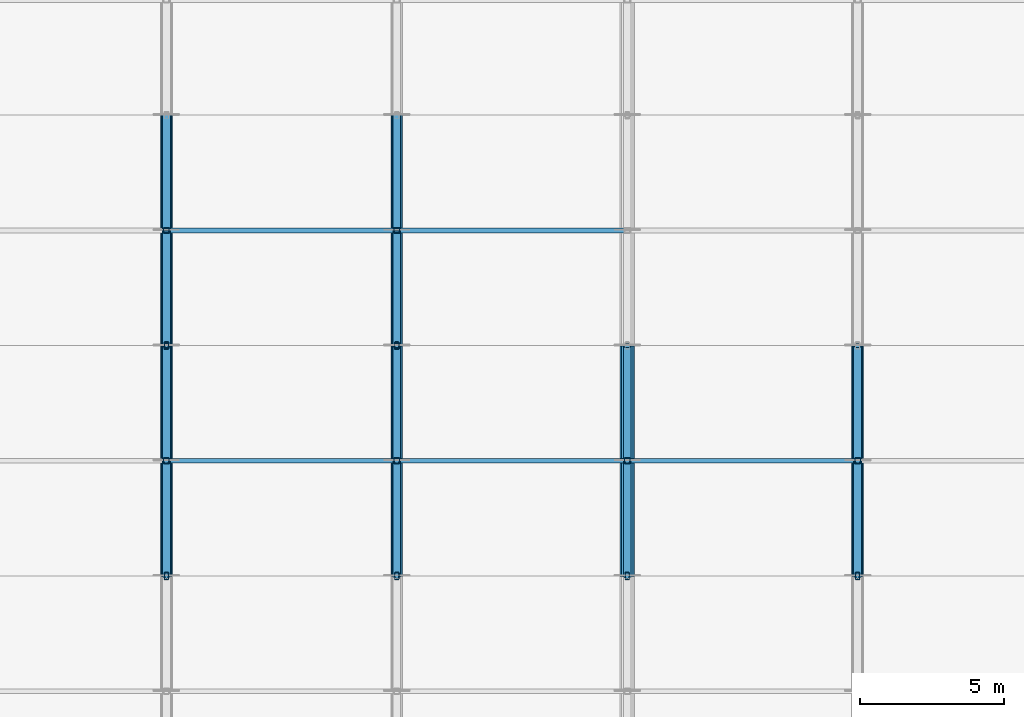
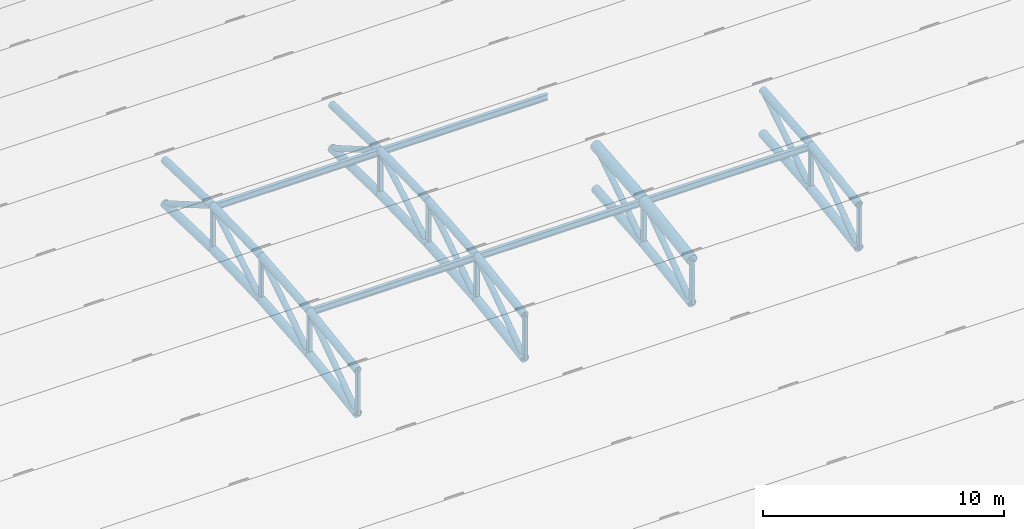
# One storey, part 48 of 98: 53 members.
"""IFC4 building model written with IfcOpenShell, lengths in metres."""

from ifc_helpers import new_model, si_unit, direction, frame, origin, origin_2d, place, context, subcontext, project, spatial, hollow_rectangle, hollow_circle, i_section, extrude, material, material_profile, profile_set, type_object, element, save


model = new_model("IFC4")

# Units and contexts
model_context = context("Model", 3, precision=1e-05, world=origin(), true_north=direction((0.0, 1.0)))
body_context = subcontext(model_context, "Body", "Model", "MODEL_VIEW")
ifc_project = project(units=[si_unit("LENGTHUNIT", "METRE"), si_unit("AREAUNIT", "SQUARE_METRE"), si_unit("VOLUMEUNIT", "CUBIC_METRE"), si_unit("PLANEANGLEUNIT", "RADIAN"), si_unit("MASSUNIT", "GRAM", prefix="KILO")], contexts=[model_context])

# Site, building, storey
site_placement = place(None, origin())
site = spatial("IfcSite", under=ifc_project, at=site_placement, CompositionType="ELEMENT")
building_placement = place(site_placement, origin())
building = spatial("IfcBuilding", under=site, at=building_placement, Name="Tlacozan Convention Centre", CompositionType="ELEMENT")
storey_placement = place(building_placement, frame((0.0, 0.0, 25.800048828125)))
storey = spatial("IfcBuildingStorey", under=building, at=storey_placement, Name="Roof", CompositionType="ELEMENT", Elevation=25.800048828125)

# Members
ifc_material_1 = material(Name="Steel ASTM A500 Grade C", Category="steel")
ifc_material_profile_1 = material_profile(ifc_material_1, hollow_circle(Radius=0.203125, WallThickness=0.015869140625, at=origin_2d()), Name="OC 406.4x15.9")
ifc_profile_set_1 = profile_set([ifc_material_profile_1], Name="Steel ASTM A500 Grade C")
member_type_1 = type_object("IfcMemberType", Name="Arch Bottom Chord OC 406.4x15.9", PredefinedType="CHORD", material=ifc_profile_set_1)
member_1_placement = place(storey_placement, frame((128.0, 82.0, -5.8671875), z_axis=(0.0, 0.98911804631, 0.147124064872), x_axis=(-1.0, 0.0, 0.0)))
element("IfcMember", 1, at=member_1_placement, inside=storey, type_object=member_type_1, Name="V2A Roof Truss 17 Bottom Chord 6", PredefinedType="CHORD", context=body_context, shape_type="SweptSolid", body=[
    extrude(hollow_circle(Radius=0.203125, WallThickness=0.015869140625, at=origin_2d()), origin(), (0.0, 0.0, 1.0), 4.0439453125),
])
member_2_placement = place(storey_placement, frame((128.0, 86.0, -5.272216796875), z_axis=(0.0, 0.996095959668, 0.088277058926), x_axis=(-1.0, 0.0, 0.0)))
element("IfcMember", 2, at=member_2_placement, inside=storey, type_object=member_type_1, Name="V2A Roof Truss 17 Bottom Chord 7", PredefinedType="CHORD", context=body_context, shape_type="SweptSolid", body=[
    extrude(hollow_circle(Radius=0.203125, WallThickness=0.015869140625, at=origin_2d()), origin(), (0.0, 0.0, 1.0), 4.015625),
])
for number, where, z_axis, x_axis, name in (
    (3, (128.0, 90.0, -4.917724609375), (0.0, 0.999567543518, 0.029406222899), (-1.0, 0.0, 0.0), "V2A Roof Truss 17 Bottom Chord 8"),
    (4, (128.0, 94.0, -4.800048828125), (0.0, 0.999567543518, -0.029406222899), (-1.0, 0.0, 0.0), "V2A Roof Truss 17 Bottom Chord 9"),
):
    element("IfcMember", number, at=place(storey_placement, frame(where, z_axis=z_axis, x_axis=x_axis)), inside=storey, type_object=member_type_1, Name=name, PredefinedType="CHORD", context=body_context, shape_type="SweptSolid", body=[
        extrude(hollow_circle(Radius=0.203125, WallThickness=0.015869140625, at=origin_2d()), origin(), (0.0, 0.0, 1.0), 4.001708984375),
    ])
member_3_placement = place(storey_placement, frame((136.0, 82.0, -5.8671875), z_axis=(0.0, 0.98911804631, 0.147124064872), x_axis=(-1.0, 0.0, 0.0)))
element("IfcMember", 5, at=member_3_placement, inside=storey, type_object=member_type_1, Name="V2A Roof Truss 18 Bottom Chord 6", PredefinedType="CHORD", context=body_context, shape_type="SweptSolid", body=[
    extrude(hollow_circle(Radius=0.203125, WallThickness=0.015869140625, at=origin_2d()), origin(), (0.0, 0.0, 1.0), 4.0439453125),
])
member_4_placement = place(storey_placement, frame((136.0, 86.0, -5.272216796875), z_axis=(0.0, 0.996095959668, 0.088277058926), x_axis=(-1.0, 0.0, 0.0)))
element("IfcMember", 6, at=member_4_placement, inside=storey, type_object=member_type_1, Name="V2A Roof Truss 18 Bottom Chord 7", PredefinedType="CHORD", context=body_context, shape_type="SweptSolid", body=[
    extrude(hollow_circle(Radius=0.203125, WallThickness=0.015869140625, at=origin_2d()), origin(), (0.0, 0.0, 1.0), 4.015625),
])
for number, where, z_axis, x_axis, name in (
    (7, (136.0, 90.0, -4.917724609375), (0.0, 0.999567543518, 0.029406222899), (-1.0, 0.0, 0.0), "V2A Roof Truss 18 Bottom Chord 8"),
    (8, (136.0, 94.0, -4.800048828125), (0.0, 0.999567543518, -0.029406222899), (-1.0, 0.0, 0.0), "V2A Roof Truss 18 Bottom Chord 9"),
):
    element("IfcMember", number, at=place(storey_placement, frame(where, z_axis=z_axis, x_axis=x_axis)), inside=storey, type_object=member_type_1, Name=name, PredefinedType="CHORD", context=body_context, shape_type="SweptSolid", body=[
        extrude(hollow_circle(Radius=0.203125, WallThickness=0.015869140625, at=origin_2d()), origin(), (0.0, 0.0, 1.0), 4.001708984375),
    ])
member_5_placement = place(storey_placement, frame((144.0, 82.0, -5.8671875), z_axis=(0.0, 0.98911804631, 0.147124064872), x_axis=(-1.0, 0.0, 0.0)))
element("IfcMember", 9, at=member_5_placement, inside=storey, type_object=member_type_1, Name="V2A Roof Truss 19 Bottom Chord 6", PredefinedType="CHORD", context=body_context, shape_type="SweptSolid", body=[
    extrude(hollow_circle(Radius=0.203125, WallThickness=0.015869140625, at=origin_2d()), origin(), (0.0, 0.0, 1.0), 4.0439453125),
])
member_6_placement = place(storey_placement, frame((144.0, 86.0, -5.272216796875), z_axis=(0.0, 0.996095959668, 0.088277058926), x_axis=(-1.0, 0.0, 0.0)))
element("IfcMember", 10, at=member_6_placement, inside=storey, type_object=member_type_1, Name="V2A Roof Truss 19 Bottom Chord 7", PredefinedType="CHORD", context=body_context, shape_type="SweptSolid", body=[
    extrude(hollow_circle(Radius=0.203125, WallThickness=0.015869140625, at=origin_2d()), origin(), (0.0, 0.0, 1.0), 4.015625),
])
member_7_placement = place(storey_placement, frame((152.0, 82.0, -5.8671875), z_axis=(0.0, 0.98911804631, 0.147124064872), x_axis=(-1.0, 0.0, 0.0)))
element("IfcMember", 11, at=member_7_placement, inside=storey, type_object=member_type_1, Name="V2A Roof Truss 20 Bottom Chord 6", PredefinedType="CHORD", context=body_context, shape_type="SweptSolid", body=[
    extrude(hollow_circle(Radius=0.203125, WallThickness=0.015869140625, at=origin_2d()), origin(), (0.0, 0.0, 1.0), 4.0439453125),
])
member_8_placement = place(storey_placement, frame((152.0, 86.0, -5.272216796875), z_axis=(0.0, 0.996095959668, 0.088277058926), x_axis=(-1.0, 0.0, 0.0)))
element("IfcMember", 12, at=member_8_placement, inside=storey, type_object=member_type_1, Name="V2A Roof Truss 20 Bottom Chord 7", PredefinedType="CHORD", context=body_context, shape_type="SweptSolid", body=[
    extrude(hollow_circle(Radius=0.203125, WallThickness=0.015869140625, at=origin_2d()), origin(), (0.0, 0.0, 1.0), 4.015625),
])
ifc_material_profile_2 = material_profile(ifc_material_1, hollow_circle(Radius=0.25390625, WallThickness=0.01904296875, at=origin_2d()), Name="OC 508.0x19.1")
ifc_profile_set_2 = profile_set([ifc_material_profile_2], Name="Steel ASTM A500 Grade C")
member_type_2 = type_object("IfcMemberType", Name="Arch Top Chord OC 508x19.1", PredefinedType="CHORD", material=ifc_profile_set_2)
member_9_placement = place(storey_placement, frame((144.0, 82.0, -3.667236328125), z_axis=(0.0, 0.98911804631, 0.147124064872), x_axis=(-1.0, 0.0, 0.0)))
element("IfcMember", 13, at=member_9_placement, inside=storey, type_object=member_type_2, Name="V2A Roof Truss 19 Top Chord 6", PredefinedType="CHORD", context=body_context, shape_type="SweptSolid", body=[
    extrude(hollow_circle(Radius=0.25390625, WallThickness=0.01904296875, at=origin_2d()), origin(), (0.0, 0.0, 1.0), 4.0439453125),
])
member_10_placement = place(storey_placement, frame((144.0, 86.0, -3.072265625), z_axis=(0.0, 0.996095959668, 0.088277058926), x_axis=(-1.0, 0.0, 0.0)))
element("IfcMember", 14, at=member_10_placement, inside=storey, type_object=member_type_2, Name="V2A Roof Truss 19 Top Chord 7", PredefinedType="CHORD", context=body_context, shape_type="SweptSolid", body=[
    extrude(hollow_circle(Radius=0.25390625, WallThickness=0.01904296875, at=origin_2d()), origin(), (0.0, 0.0, 1.0), 4.015625),
])
ifc_material_profile_3 = material_profile(ifc_material_1, hollow_circle(Radius=0.136474609375, WallThickness=0.0126953125, at=origin_2d()), Name="OC 273.1x12.7")
ifc_profile_set_3 = profile_set([ifc_material_profile_3], Name="Steel ASTM A500 Grade C")
member_type_3 = type_object("IfcMemberType", Name="Arch Web Diagonal OC 273.1x12.7", PredefinedType="BRACE", material=ifc_profile_set_3)
member_11_placement = place(storey_placement, frame((128.0, 82.0, -5.8671875), z_axis=(0.0, 0.819720523855, 0.572763705877), x_axis=(-1.0, 0.0, 0.0)))
element("IfcMember", 15, at=member_11_placement, inside=storey, type_object=member_type_3, Name="V2A Roof Truss 17 Web Diagonal 6", PredefinedType="BRACE", context=body_context, shape_type="SweptSolid", body=[
    extrude(hollow_circle(Radius=0.136474609375, WallThickness=0.0126953125, at=origin_2d()), origin(), (0.0, 0.0, 1.0), 4.879638671875),
])
member_12_placement = place(storey_placement, frame((128.0, 86.0, -5.272216796875), z_axis=(0.0, 0.842802563321, 0.538222852785), x_axis=(-1.0, 0.0, 0.0)))
element("IfcMember", 16, at=member_12_placement, inside=storey, type_object=member_type_3, Name="V2A Roof Truss 17 Web Diagonal 7", PredefinedType="BRACE", context=body_context, shape_type="SweptSolid", body=[
    extrude(hollow_circle(Radius=0.136474609375, WallThickness=0.0126953125, at=origin_2d()), origin(), (0.0, 0.0, 1.0), 4.74609375),
])
for number, where, z_axis, x_axis, name in (
    (17, (128.0, 90.0, -4.917724609375), (0.0, 0.865253886656, 0.501333932252), (-1.0, 0.0, 0.0), "V2A Roof Truss 17 Web Diagonal 8"),
    (18, (128.0, 94.0, -2.60009765625), (0.0, 0.865253886656, -0.501333932252), (-1.0, 0.0, 0.0), "V2A Roof Truss 17 Web Diagonal 9"),
):
    element("IfcMember", number, at=place(storey_placement, frame(where, z_axis=z_axis, x_axis=x_axis)), inside=storey, type_object=member_type_3, Name=name, PredefinedType="BRACE", context=body_context, shape_type="SweptSolid", body=[
        extrude(hollow_circle(Radius=0.136474609375, WallThickness=0.0126953125, at=origin_2d()), origin(), (0.0, 0.0, 1.0), 4.622802734375),
    ])
member_13_placement = place(storey_placement, frame((136.0, 82.0, -5.8671875), z_axis=(0.0, 0.819720523855, 0.572763705877), x_axis=(-1.0, 0.0, 0.0)))
element("IfcMember", 19, at=member_13_placement, inside=storey, type_object=member_type_3, Name="V2A Roof Truss 18 Web Diagonal 6", PredefinedType="BRACE", context=body_context, shape_type="SweptSolid", body=[
    extrude(hollow_circle(Radius=0.136474609375, WallThickness=0.0126953125, at=origin_2d()), origin(), (0.0, 0.0, 1.0), 4.879638671875),
])
member_14_placement = place(storey_placement, frame((136.0, 86.0, -5.272216796875), z_axis=(0.0, 0.842802563321, 0.538222852785), x_axis=(-1.0, 0.0, 0.0)))
element("IfcMember", 20, at=member_14_placement, inside=storey, type_object=member_type_3, Name="V2A Roof Truss 18 Web Diagonal 7", PredefinedType="BRACE", context=body_context, shape_type="SweptSolid", body=[
    extrude(hollow_circle(Radius=0.136474609375, WallThickness=0.0126953125, at=origin_2d()), origin(), (0.0, 0.0, 1.0), 4.74609375),
])
for number, where, z_axis, x_axis, name in (
    (21, (136.0, 90.0, -4.917724609375), (0.0, 0.865253886656, 0.501333932252), (-1.0, 0.0, 0.0), "V2A Roof Truss 18 Web Diagonal 8"),
    (22, (136.0, 94.0, -2.60009765625), (0.0, 0.865253886656, -0.501333932252), (-1.0, 0.0, 0.0), "V2A Roof Truss 18 Web Diagonal 9"),
):
    element("IfcMember", number, at=place(storey_placement, frame(where, z_axis=z_axis, x_axis=x_axis)), inside=storey, type_object=member_type_3, Name=name, PredefinedType="BRACE", context=body_context, shape_type="SweptSolid", body=[
        extrude(hollow_circle(Radius=0.136474609375, WallThickness=0.0126953125, at=origin_2d()), origin(), (0.0, 0.0, 1.0), 4.622802734375),
    ])
member_15_placement = place(storey_placement, frame((144.0, 82.0, -5.8671875), z_axis=(0.0, 0.819720523855, 0.572763705877), x_axis=(-1.0, 0.0, 0.0)))
element("IfcMember", 23, at=member_15_placement, inside=storey, type_object=member_type_3, Name="V2A Roof Truss 19 Web Diagonal 6", PredefinedType="BRACE", context=body_context, shape_type="SweptSolid", body=[
    extrude(hollow_circle(Radius=0.136474609375, WallThickness=0.0126953125, at=origin_2d()), origin(), (0.0, 0.0, 1.0), 4.879638671875),
])
member_16_placement = place(storey_placement, frame((144.0, 86.0, -5.272216796875), z_axis=(0.0, 0.842802563321, 0.538222852785), x_axis=(-1.0, 0.0, 0.0)))
element("IfcMember", 24, at=member_16_placement, inside=storey, type_object=member_type_3, Name="V2A Roof Truss 19 Web Diagonal 7", PredefinedType="BRACE", context=body_context, shape_type="SweptSolid", body=[
    extrude(hollow_circle(Radius=0.136474609375, WallThickness=0.0126953125, at=origin_2d()), origin(), (0.0, 0.0, 1.0), 4.74609375),
])
member_17_placement = place(storey_placement, frame((152.0, 82.0, -5.8671875), z_axis=(0.0, 0.819720523855, 0.572763705877), x_axis=(-1.0, 0.0, 0.0)))
element("IfcMember", 25, at=member_17_placement, inside=storey, type_object=member_type_3, Name="V2A Roof Truss 20 Web Diagonal 6", PredefinedType="BRACE", context=body_context, shape_type="SweptSolid", body=[
    extrude(hollow_circle(Radius=0.136474609375, WallThickness=0.0126953125, at=origin_2d()), origin(), (0.0, 0.0, 1.0), 4.879638671875),
])
member_18_placement = place(storey_placement, frame((152.0, 86.0, -5.272216796875), z_axis=(0.0, 0.842802563321, 0.538222852785), x_axis=(-1.0, 0.0, 0.0)))
element("IfcMember", 26, at=member_18_placement, inside=storey, type_object=member_type_3, Name="V2A Roof Truss 20 Web Diagonal 7", PredefinedType="BRACE", context=body_context, shape_type="SweptSolid", body=[
    extrude(hollow_circle(Radius=0.136474609375, WallThickness=0.0126953125, at=origin_2d()), origin(), (0.0, 0.0, 1.0), 4.74609375),
])
ifc_material_profile_4 = material_profile(ifc_material_1, hollow_rectangle(XDim=0.203125, YDim=0.203125, WallThickness=0.0126953125, InnerFilletRadius=0.0126953125, OuterFilletRadius=0.02490234375, at=origin_2d()), Name="OR 203x203x12.7")
ifc_profile_set_4 = profile_set([ifc_material_profile_4], Name="Steel ASTM A500 Grade C")
member_type_4 = type_object("IfcMemberType", Name="Arch Web Strut OR 203x203x12.7", PredefinedType="STRUT", material=ifc_profile_set_4)
for number, where, z_axis, x_axis, name in (
    (27, (128.0, 86.0, -5.272216796875), (0.0, 0.0, 1.0), (1.0, 0.0, 0.0), "V2A Roof Truss 17 Vertical Strut 7"),
    (28, (128.0, 94.0, -4.800048828125), (0.0, 0.0, 1.0), (1.0, 0.0, 0.0), "V2A Roof Truss 17 Vertical Strut 9"),
    (29, (136.0, 86.0, -5.272216796875), (0.0, 0.0, 1.0), (1.0, 0.0, 0.0), "V2A Roof Truss 18 Vertical Strut 7"),
    (30, (136.0, 94.0, -4.800048828125), (0.0, 0.0, 1.0), (1.0, 0.0, 0.0), "V2A Roof Truss 18 Vertical Strut 9"),
    (31, (144.0, 86.0, -5.272216796875), (0.0, 0.0, 1.0), (1.0, 0.0, 0.0), "V2A Roof Truss 19 Vertical Strut 7"),
    (32, (152.0, 86.0, -5.272216796875), (0.0, 0.0, 1.0), (1.0, 0.0, 0.0), "V2A Roof Truss 20 Vertical Strut 7"),
):
    element("IfcMember", number, at=place(storey_placement, frame(where, z_axis=z_axis, x_axis=x_axis)), inside=storey, type_object=member_type_4, Name=name, PredefinedType="STRUT", context=body_context, shape_type="SweptSolid", body=[
        extrude(hollow_rectangle(XDim=0.203125, YDim=0.203125, WallThickness=0.0126953125, InnerFilletRadius=0.0126953125, OuterFilletRadius=0.02490234375, at=origin_2d()), origin(), (0.0, 0.0, 1.0), 2.199951171875),
    ])
ifc_material_2 = material(Name="Steel ASTM A992 Grade 50", Category="steel")
ifc_material_profile_5 = material_profile(ifc_material_2, i_section(OverallWidth=0.1669921875, OverallDepth=0.31689453125, WebThickness=0.007568359375, FlangeThickness=0.01318359375, FilletRadius=0.010009765625, at=origin_2d()), Name="IR 305x52.2")
ifc_profile_set_5 = profile_set([ifc_material_profile_5], Name="Steel ASTM A992 Grade 50")
member_type_5 = type_object("IfcMemberType", Name="Roof Purlin IR 305x52.2", PredefinedType="PURLIN", material=ifc_profile_set_5)
for number, where, z_axis, x_axis, name in (
    (33, (128.0, 86.0, -3.13720703125), (1.0, 0.0, 0.0), (0.0, 1.0, 0.0), "V2A Roof Truss Purlin 17.7"),
    (34, (128.0, 94.0, -2.6650390625), (1.0, 0.0, 0.0), (0.0, 1.0, 0.0), "V2A Roof Truss Purlin 17.9"),
    (35, (136.0, 86.0, -3.13720703125), (1.0, 0.0, 0.0), (0.0, 1.0, 0.0), "V2A Roof Truss Purlin 18.7"),
    (36, (136.0, 94.0, -2.6650390625), (1.0, 0.0, 0.0), (0.0, 1.0, 0.0), "V2A Roof Truss Purlin 18.9"),
    (37, (144.0, 86.0, -3.13720703125), (1.0, 0.0, 0.0), (0.0, 1.0, 0.0), "V2A Roof Truss Purlin 19.7"),
):
    element("IfcMember", number, at=place(storey_placement, frame(where, z_axis=z_axis, x_axis=x_axis)), inside=storey, type_object=member_type_5, Name=name, PredefinedType="PURLIN", context=body_context, shape_type="SweptSolid", body=[
        extrude(i_section(OverallWidth=0.1669921875, OverallDepth=0.31689453125, WebThickness=0.007568359375, FlangeThickness=0.01318359375, FilletRadius=0.010009765625, at=origin_2d()), origin(), (0.0, 0.0, 1.0), 8.0),
    ])
ifc_material_profile_6 = material_profile(ifc_material_1, hollow_circle(Radius=0.177734375, WallThickness=0.015869140625, at=origin_2d()), Name="OC 355.6x15.9")
ifc_profile_set_6 = profile_set([ifc_material_profile_6], Name="Steel ASTM A500 Grade C")
member_type_6 = type_object("IfcMemberType", Name="Secondary Arch Chord OC 355.6x15.9", PredefinedType="CHORD", material=ifc_profile_set_6)
member_19_placement = place(storey_placement, frame((128.0, 82.0, -3.667236328125), z_axis=(0.0, 0.98911804631, 0.147124064872), x_axis=(-1.0, 0.0, 0.0)))
element("IfcMember", 38, at=member_19_placement, inside=storey, type_object=member_type_6, Name="V2A Roof Truss 17 Top Chord 6", PredefinedType="CHORD", context=body_context, shape_type="SweptSolid", body=[
    extrude(hollow_circle(Radius=0.177734375, WallThickness=0.015869140625, at=origin_2d()), origin(), (0.0, 0.0, 1.0), 4.0439453125),
])
member_20_placement = place(storey_placement, frame((128.0, 86.0, -3.072265625), z_axis=(0.0, 0.996095959668, 0.088277058926), x_axis=(-1.0, 0.0, 0.0)))
element("IfcMember", 39, at=member_20_placement, inside=storey, type_object=member_type_6, Name="V2A Roof Truss 17 Top Chord 7", PredefinedType="CHORD", context=body_context, shape_type="SweptSolid", body=[
    extrude(hollow_circle(Radius=0.177734375, WallThickness=0.015869140625, at=origin_2d()), origin(), (0.0, 0.0, 1.0), 4.015625),
])
for number, where, z_axis, x_axis, name in (
    (40, (128.0, 90.0, -2.7177734375), (0.0, 0.999567543518, 0.029406222899), (-1.0, 0.0, 0.0), "V2A Roof Truss 17 Top Chord 8"),
    (41, (128.0, 94.0, -2.60009765625), (0.0, 0.999567543518, -0.029406222899), (-1.0, 0.0, 0.0), "V2A Roof Truss 17 Top Chord 9"),
):
    element("IfcMember", number, at=place(storey_placement, frame(where, z_axis=z_axis, x_axis=x_axis)), inside=storey, type_object=member_type_6, Name=name, PredefinedType="CHORD", context=body_context, shape_type="SweptSolid", body=[
        extrude(hollow_circle(Radius=0.177734375, WallThickness=0.015869140625, at=origin_2d()), origin(), (0.0, 0.0, 1.0), 4.001708984375),
    ])
member_21_placement = place(storey_placement, frame((136.0, 82.0, -3.667236328125), z_axis=(0.0, 0.98911804631, 0.147124064872), x_axis=(-1.0, 0.0, 0.0)))
element("IfcMember", 42, at=member_21_placement, inside=storey, type_object=member_type_6, Name="V2A Roof Truss 18 Top Chord 6", PredefinedType="CHORD", context=body_context, shape_type="SweptSolid", body=[
    extrude(hollow_circle(Radius=0.177734375, WallThickness=0.015869140625, at=origin_2d()), origin(), (0.0, 0.0, 1.0), 4.0439453125),
])
member_22_placement = place(storey_placement, frame((136.0, 86.0, -3.072265625), z_axis=(0.0, 0.996095959668, 0.088277058926), x_axis=(-1.0, 0.0, 0.0)))
element("IfcMember", 43, at=member_22_placement, inside=storey, type_object=member_type_6, Name="V2A Roof Truss 18 Top Chord 7", PredefinedType="CHORD", context=body_context, shape_type="SweptSolid", body=[
    extrude(hollow_circle(Radius=0.177734375, WallThickness=0.015869140625, at=origin_2d()), origin(), (0.0, 0.0, 1.0), 4.015625),
])
for number, where, z_axis, x_axis, name in (
    (44, (136.0, 90.0, -2.7177734375), (0.0, 0.999567543518, 0.029406222899), (-1.0, 0.0, 0.0), "V2A Roof Truss 18 Top Chord 8"),
    (45, (136.0, 94.0, -2.60009765625), (0.0, 0.999567543518, -0.029406222899), (-1.0, 0.0, 0.0), "V2A Roof Truss 18 Top Chord 9"),
):
    element("IfcMember", number, at=place(storey_placement, frame(where, z_axis=z_axis, x_axis=x_axis)), inside=storey, type_object=member_type_6, Name=name, PredefinedType="CHORD", context=body_context, shape_type="SweptSolid", body=[
        extrude(hollow_circle(Radius=0.177734375, WallThickness=0.015869140625, at=origin_2d()), origin(), (0.0, 0.0, 1.0), 4.001708984375),
    ])
member_23_placement = place(storey_placement, frame((152.0, 82.0, -3.667236328125), z_axis=(0.0, 0.98911804631, 0.147124064872), x_axis=(-1.0, 0.0, 0.0)))
element("IfcMember", 46, at=member_23_placement, inside=storey, type_object=member_type_6, Name="V2A Roof Truss 20 Top Chord 6", PredefinedType="CHORD", context=body_context, shape_type="SweptSolid", body=[
    extrude(hollow_circle(Radius=0.177734375, WallThickness=0.015869140625, at=origin_2d()), origin(), (0.0, 0.0, 1.0), 4.0439453125),
])
member_24_placement = place(storey_placement, frame((152.0, 86.0, -3.072265625), z_axis=(0.0, 0.996095959668, 0.088277058926), x_axis=(-1.0, 0.0, 0.0)))
element("IfcMember", 47, at=member_24_placement, inside=storey, type_object=member_type_6, Name="V2A Roof Truss 20 Top Chord 7", PredefinedType="CHORD", context=body_context, shape_type="SweptSolid", body=[
    extrude(hollow_circle(Radius=0.177734375, WallThickness=0.015869140625, at=origin_2d()), origin(), (0.0, 0.0, 1.0), 4.015625),
])
ifc_material_profile_7 = material_profile(ifc_material_1, hollow_rectangle(XDim=0.15234375, YDim=0.25390625, WallThickness=0.0126953125, InnerFilletRadius=0.0126953125, OuterFilletRadius=0.02490234375, at=origin_2d()), Name="OR 254x152x12.7")
ifc_profile_set_7 = profile_set([ifc_material_profile_7], Name="Steel ASTM A500 Grade C")
member_type_7 = type_object("IfcMemberType", Name="Truss Secondary Strut OR 254x152x12.7", PredefinedType="STRUT", material=ifc_profile_set_7)
for number, where, z_axis, x_axis, name in (
    (48, (128.0, 82.0, -5.8671875), (0.0, 0.0, 1.0), (1.0, 0.0, 0.0), "V2A Roof Truss 17 Vertical Strut 6"),
    (49, (128.0, 90.0, -4.917724609375), (0.0, 0.0, 1.0), (1.0, 0.0, 0.0), "V2A Roof Truss 17 Vertical Strut 8"),
    (50, (136.0, 82.0, -5.8671875), (0.0, 0.0, 1.0), (1.0, 0.0, 0.0), "V2A Roof Truss 18 Vertical Strut 6"),
    (51, (136.0, 90.0, -4.917724609375), (0.0, 0.0, 1.0), (1.0, 0.0, 0.0), "V2A Roof Truss 18 Vertical Strut 8"),
    (52, (144.0, 82.0, -5.8671875), (0.0, 0.0, 1.0), (1.0, 0.0, 0.0), "V2A Roof Truss 19 Vertical Strut 6"),
    (53, (152.0, 82.0, -5.8671875), (0.0, 0.0, 1.0), (1.0, 0.0, 0.0), "V2A Roof Truss 20 Vertical Strut 6"),
):
    element("IfcMember", number, at=place(storey_placement, frame(where, z_axis=z_axis, x_axis=x_axis)), inside=storey, type_object=member_type_7, Name=name, PredefinedType="STRUT", context=body_context, shape_type="SweptSolid", body=[
        extrude(hollow_rectangle(XDim=0.15234375, YDim=0.25390625, WallThickness=0.0126953125, InnerFilletRadius=0.0126953125, OuterFilletRadius=0.02490234375, at=origin_2d()), origin(), (0.0, 0.0, 1.0), 2.199951171875),
    ])

save(model, "model.ifc")
